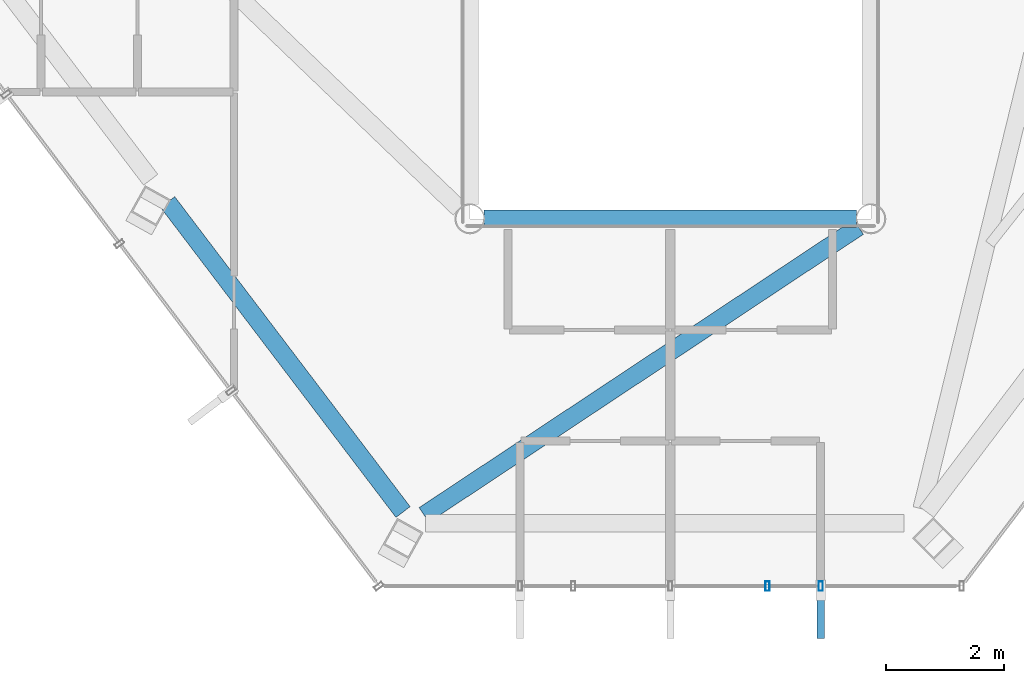
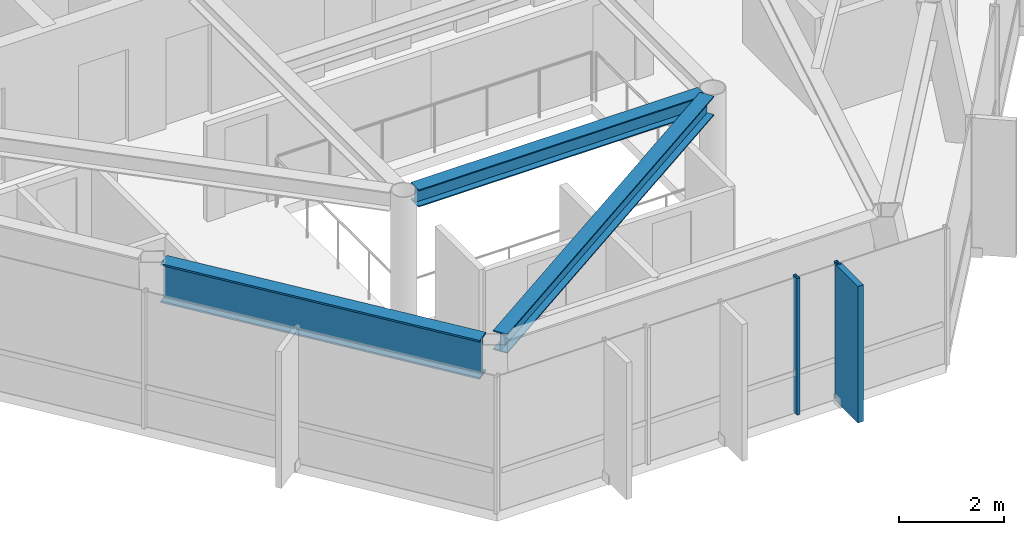
# One storey, part 6 of 26: 3 beams, 3 members, 1 element without a shape of its own.
"""IFC4 building model written with IfcOpenShell, lengths in metres."""

from ifc_helpers import new_model, si_unit, direction, frame, origin, origin_2d, place, context, subcontext, project, spatial, rectangle, hollow_rectangle, i_section, extrude, material, layer, layer_set, material_profile, profile_set, type_object, element, aggregate, save


model = new_model("IFC4")

# Units and contexts
model_context = context("Model", 3, precision=1e-05, world=origin(), true_north=direction((0.0, 1.0)))
body_context = subcontext(model_context, "Body", "Model", "MODEL_VIEW")
ifc_project = project(units=[si_unit("LENGTHUNIT", "METRE"), si_unit("AREAUNIT", "SQUARE_METRE"), si_unit("VOLUMEUNIT", "CUBIC_METRE"), si_unit("PLANEANGLEUNIT", "RADIAN"), si_unit("MASSUNIT", "GRAM", prefix="KILO")], contexts=[model_context])

# Site, building, storey
site_placement = place(None, origin())
site = spatial("IfcSite", under=ifc_project, at=site_placement, CompositionType="ELEMENT")
building_placement = place(site_placement, origin())
building = spatial("IfcBuilding", under=site, at=building_placement, Name="Zarrinselat Tower", CompositionType="ELEMENT")
storey_placement = place(building_placement, frame((0.0, 0.0, 265.199951171875)))
storey = spatial("IfcBuildingStorey", under=building, at=storey_placement, Name="L67", CompositionType="ELEMENT", Elevation=265.199951171875)

# Beams
ifc_material_1 = material(Name="Steel S355J2", Category="steel")
ifc_material_profile_1 = material_profile(ifc_material_1, i_section(OverallWidth=0.300048828125, OverallDepth=0.39990234375, WebThickness=0.013427734375, FlangeThickness=0.02392578125, at=origin_2d()), Name="HEB 400")
ifc_profile_set_1 = profile_set([ifc_material_profile_1], Name="Steel S355J2")
beam_type_1 = type_object("IfcBeamType", Name="BM-HEB400", PredefinedType="BEAM", material=ifc_profile_set_1)
beam_1_placement = place(storey_placement, frame((35.239990234375, 25.199951171875, 2.97998046875), z_axis=(1.0, 0.0, 0.0), x_axis=(0.0, 1.0, 0.0)))
element("IfcBeam", 1, at=beam_1_placement, inside=storey, type_object=beam_type_1, Name="L67 Atrium Edge Beam S", PredefinedType="BEAM", context=body_context, shape_type="SweptSolid", body=[
    extrude(i_section(OverallWidth=0.300048828125, OverallDepth=0.39990234375, WebThickness=0.013427734375, FlangeThickness=0.02392578125, at=origin_2d()), origin(), (0.0, 0.0, 1.0), 6.320068359375),
])
ifc_material_2 = material(Name="Steel S355J2", Category="steel")
ifc_material_profile_2 = material_profile(ifc_material_2, i_section(OverallWidth=0.300048828125, OverallDepth=0.449951171875, WebThickness=0.013916015625, FlangeThickness=0.02587890625, at=origin_2d()), Name="HEB 450")
ifc_profile_set_2 = profile_set([ifc_material_profile_2], Name="Steel S355J2")
beam_type_2 = type_object("IfcBeamType", Name="BM-HEB450", PredefinedType="BEAM", material=ifc_profile_set_2)
beam_2_placement = place(storey_placement, frame((34.22119140625, 20.17724609375, 2.955078125), z_axis=(0.833550978999, 0.552442544894, 0.0), x_axis=(-0.552442544894, 0.833550978999, 0.0)))
element("IfcBeam", 2, at=beam_2_placement, inside=storey, type_object=beam_type_2, Name="L67 Radial Primary Girder RG10", PredefinedType="BEAM", context=body_context, shape_type="SweptSolid", body=[
    extrude(i_section(OverallWidth=0.300048828125, OverallDepth=0.449951171875, WebThickness=0.013916015625, FlangeThickness=0.02587890625, at=origin_2d()), origin(), (0.0, 0.0, 1.0), 8.842041015625),
])
ifc_material_3 = material(Name="Steel S460M", Category="steel")
ifc_material_profile_3 = material_profile(ifc_material_3, i_section(OverallWidth=0.302001953125, OverallDepth=0.909912109375, WebThickness=0.02099609375, FlangeThickness=0.0400390625, at=origin_2d()), Name="HEM 900")
ifc_profile_set_3 = profile_set([ifc_material_profile_3], Name="Steel S460M")
beam_type_3 = type_object("IfcBeamType", Name="BM-HEM900", PredefinedType="BEAM", material=ifc_profile_set_3)
beam_3_placement = place(storey_placement, frame((29.875, 25.484619140625, 2.72509765625), z_axis=(0.604776578329, -0.796395184757, 0.0), x_axis=(0.796395184757, 0.604776578329, 0.0)))
element("IfcBeam", 3, at=beam_3_placement, inside=storey, type_object=beam_type_3, Name="L67 Perimeter Spandrel Girder SP09", PredefinedType="BEAM", context=body_context, shape_type="SweptSolid", body=[
    extrude(i_section(OverallWidth=0.302001953125, OverallDepth=0.909912109375, WebThickness=0.02099609375, FlangeThickness=0.0400390625, at=origin_2d()), origin(), (0.0, 0.0, 1.0), 6.60107421875),
])

# Curtain wall, members
ifc_material_4 = material(Name="Extruded Aluminium Alloy EN AW-6063 T6", Category="aluminium")
ifc_layer = layer(ifc_material_4, 0.169921875)
ifc_layer_set = layer_set([ifc_layer], Name="Extruded Aluminium Alloy EN AW-6063 T6")
curtain_wall_type = type_object("IfcCurtainWallType", Name="CWS-RES", PredefinedType="NOTDEFINED", material=ifc_layer_set)
curtain_wall_placement = place(storey_placement, origin())
curtain_wall = element("IfcCurtainWall", 4, at=curtain_wall_placement, inside=storey, type_object=curtain_wall_type, Name="L67 Unitised Curtain Wall CW-L67-E04", PredefinedType="NOTDEFINED")
ifc_material_5 = material(Name="Extruded Aluminium Alloy EN AW-6063 T6", Category="aluminium")
ifc_material_profile_4 = material_profile(ifc_material_5, hollow_rectangle(XDim=0.070068359375, YDim=0.159912109375, WallThickness=0.00390625, at=origin_2d()), Name="RHS 160x70x4")
ifc_profile_set_4 = profile_set([ifc_material_profile_4], Name="Extruded Aluminium Alloy EN AW-6063 T6")
member_type_1 = type_object("IfcMemberType", Name="MEM-CW-MUL2", PredefinedType="MULLION", material=ifc_profile_set_4)
member_1_placement = place(storey_placement, frame((40.047607421875, 18.97119140625, 0.0), z_axis=(0.0, 0.0, 1.0), x_axis=(1.0, 0.0, 0.0)))
member_1 = element("IfcMember", 5, at=member_1_placement, type_object=member_type_1, Name="CW-L67-E04 Mullion 4", PredefinedType="MULLION", context=body_context, shape_type="SweptSolid", body=[
    extrude(hollow_rectangle(XDim=0.070068359375, YDim=0.159912109375, WallThickness=0.00390625, at=origin_2d()), origin(), (0.0, 0.0, 1.0), 3.179931640625),
])
member_2_placement = place(storey_placement, frame((40.949951171875, 18.97119140625, 0.0), z_axis=(0.0, 0.0, 1.0), x_axis=(1.0, 0.0, 0.0)))
member_2 = element("IfcMember", 6, at=member_2_placement, type_object=member_type_1, Name="CW-L67-E04 Mullion 5", PredefinedType="MULLION", context=body_context, shape_type="SweptSolid", body=[
    extrude(hollow_rectangle(XDim=0.070068359375, YDim=0.159912109375, WallThickness=0.00390625, at=origin_2d()), origin(), (0.0, 0.0, 1.0), 3.179931640625),
])
ifc_material_6 = material(Name="Honed Cream Travertine Stone", Category="masonry")
ifc_material_profile_5 = material_profile(ifc_material_6, rectangle(XDim=0.1201171875, YDim=0.85009765625, at=origin_2d()), Name="FIN 850x120")
ifc_profile_set_5 = profile_set([ifc_material_profile_5], Name="Honed Cream Travertine Stone")
member_type_2 = type_object("IfcMemberType", Name="MEM-STONE-FIN", PredefinedType="USERDEFINED", material=ifc_profile_set_5)
member_3_placement = place(storey_placement, frame((40.949951171875, 18.510986328125, 0.0), z_axis=(0.0, 0.0, 1.0), x_axis=(-1.0, 0.0, 0.0)))
member_3 = element("IfcMember", 7, at=member_3_placement, type_object=member_type_2, Name="L67 Stone Shading Fin CW-L67-E04-05", ObjectType="FIN", PredefinedType="USERDEFINED", context=body_context, shape_type="SweptSolid", body=[
    extrude(rectangle(XDim=0.1201171875, YDim=0.85009765625, at=origin_2d()), origin(), (0.0, 0.0, 1.0), 3.179931640625),
])
aggregate(curtain_wall, [member_1, member_2, member_3])

save(model, "model.ifc")
